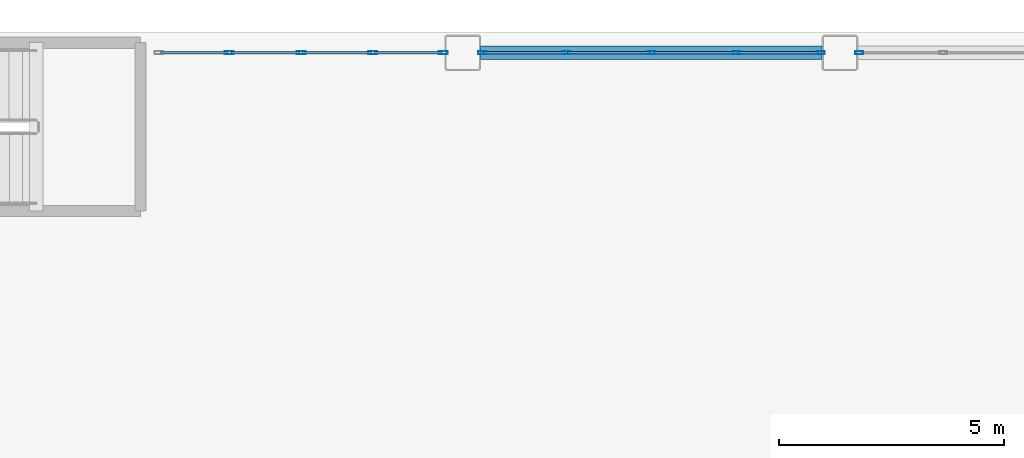
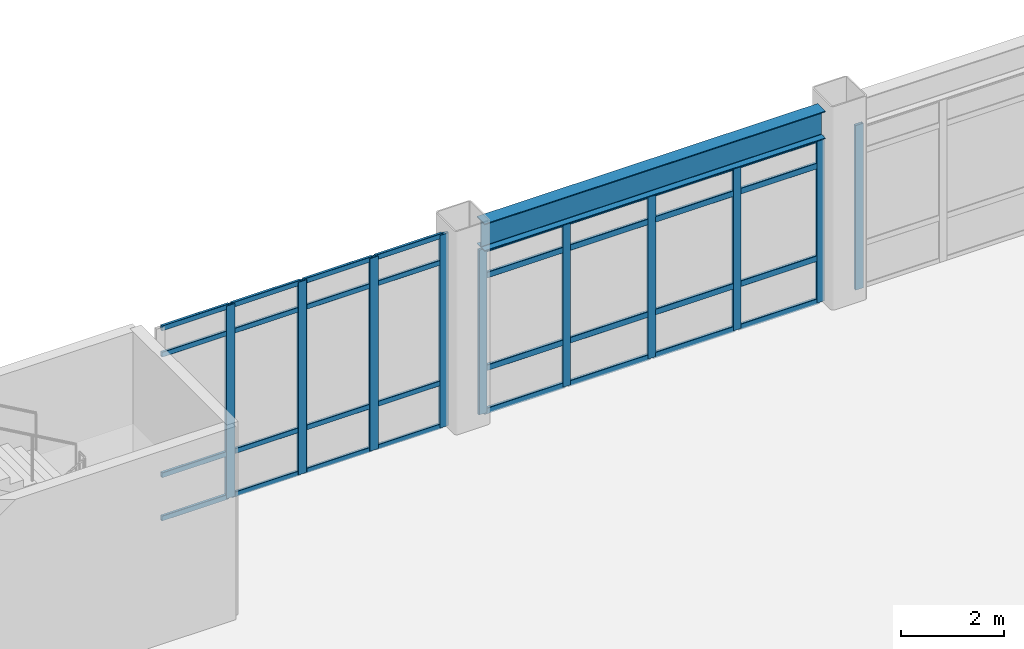
# One storey, part 68 of 154: 42 members, 1 beam, 3 elements without a shape of their own.
"""IFC4 building model written with IfcOpenShell, lengths in metres."""

import ifcopenshell
import ifcopenshell.guid

model = None  # the IFC model being written
_history = None  # IfcOwnerHistory: only IFC2X3 demands one
_inside = {}  # id of a spatial element -> (the spatial element, [elements in it])
_under = {}  # id of a project, library or spatial element -> (it, [spatial elements below it])
_declared = {}  # id of a project -> (the project, [libraries it declares])
_typed = {}  # id of a type object -> (the type object, [elements of that type])
_made_of = {}  # id of a material, layer set ... -> (it, [elements and type objects made of it])


def new_model(schema):
    """Start an empty IFC model of exactly this schema.

    Asked for "IFC4X3", IfcOpenShell would pick the latest addendum, in which some entities
    have other attributes; the version numbers below select the first issue.
    IFC2X3 requires an IfcOwnerHistory on every rooted entity: one is made here for all.
    """
    global model, _history
    if schema == "IFC4X3":
        model = ifcopenshell.file(schema_version=(4, 3, 0, 0))
    else:
        model = ifcopenshell.file(schema=schema)
    _inside.clear()
    _under.clear()
    _declared.clear()
    _typed.clear()
    _made_of.clear()
    _history = None
    if model.schema == "IFC2X3":
        org = make("IfcOrganization", Name="unknown")
        user = make(
            "IfcPersonAndOrganization",
            ThePerson=make("IfcPerson", FamilyName="unknown"),
            TheOrganization=org,
        )
        app = make(
            "IfcApplication",
            ApplicationDeveloper=org,
            Version="unknown",
            ApplicationFullName="unknown",
            ApplicationIdentifier="unknown",
        )
        _history = make(
            "IfcOwnerHistory",
            OwningUser=user,
            OwningApplication=app,
            ChangeAction="ADDED",
            CreationDate=0,
        )
    return model


def make(cls, **values):
    """One entity of the class cls with the attributes given. An attribute that is None is left unset."""
    return model.create_entity(
        cls, **{name: value for name, value in values.items() if value is not None}
    )


def rooted(cls, **values):
    """An entity with a GlobalId (a new one), such as an element, a storey or a relation."""
    return make(cls, GlobalId=ifcopenshell.guid.new(), OwnerHistory=_history, **values)


def si_unit(unit_type, name, prefix=None):
    """IfcSIUnit, for example si_unit("LENGTHUNIT", "METRE", prefix="MILLI")."""
    return make("IfcSIUnit", UnitType=unit_type, Prefix=prefix, Name=name)


def assignment(units):
    """IfcUnitAssignment: the units of a project."""
    return None if units is None else make("IfcUnitAssignment", Units=units)


def point(xyz):
    """IfcCartesianPoint."""
    return None if xyz is None else make("IfcCartesianPoint", Coordinates=xyz)


def direction(xyz):
    """IfcDirection."""
    return None if xyz is None else make("IfcDirection", DirectionRatios=xyz)


def frame(location, z_axis=None, x_axis=None):
    """IfcAxis2Placement3D, a coordinate frame: its origin and axes. An axis left out is left unset."""
    return make(
        "IfcAxis2Placement3D",
        Location=point(location),
        Axis=direction(z_axis),
        RefDirection=direction(x_axis),
    )


def frame_2d(location, x_axis=None):
    """IfcAxis2Placement2D, a coordinate frame in the plane: its origin and x axis."""
    return make(
        "IfcAxis2Placement2D", Location=point(location), RefDirection=direction(x_axis)
    )


def origin():
    """The frame at (0, 0, 0) with its axes left unset."""
    return frame((0.0, 0.0, 0.0))


def origin_2d():
    """The frame at (0, 0) in the plane with its x axis left unset."""
    return frame_2d((0.0, 0.0))


def place(relative_to, where):
    """IfcLocalPlacement: puts the frame where relative to a parent placement (None: the world)."""
    return make(
        "IfcLocalPlacement", PlacementRelTo=relative_to, RelativePlacement=where
    )


def context(
    kind, dimensions, precision=None, world=None, true_north=None, identifier=None
):
    """IfcGeometricRepresentationContext, for example the 3D "Model" context."""
    return make(
        "IfcGeometricRepresentationContext",
        ContextIdentifier=identifier,
        ContextType=kind,
        CoordinateSpaceDimension=dimensions,
        Precision=precision,
        WorldCoordinateSystem=world,
        TrueNorth=true_north,
    )


def subcontext(parent, identifier, kind, view, scale=None):
    """IfcGeometricRepresentationSubContext, for example "Body" below "Model"."""
    return make(
        "IfcGeometricRepresentationSubContext",
        ContextIdentifier=identifier,
        ContextType=kind,
        ParentContext=parent,
        TargetScale=scale,
        TargetView=view,
    )


def project(units=None, contexts=None):
    """IfcProject with its units and contexts."""
    return rooted(
        "IfcProject",
        Name="project",
        RepresentationContexts=contexts,
        UnitsInContext=assignment(units),
    )


def spatial(cls, under=None, at=None, **own):
    """A site, building, storey or space (cls), placed at a placement, below another one or the project."""
    s = rooted(cls, ObjectPlacement=at, **own)
    if under is not None:
        _under.setdefault(under.id(), (under, []))[1].append(s)
    return s


def profile(cls, at=None, kind="AREA", **sizes):
    """A parametric profile (cls). Its sizes go by their IFC names, for example OverallWidth=200.0."""
    return make(cls, ProfileType=kind, Position=at, **sizes)


def hollow_rectangle(**sizes):
    """IfcRectangleHollowProfileDef."""
    return profile("IfcRectangleHollowProfileDef", **sizes)


def i_section(**sizes):
    """IfcIShapeProfileDef."""
    return profile("IfcIShapeProfileDef", **sizes)


def extrude(swept, where, along, depth):
    """IfcExtrudedAreaSolid: the profile swept, set in the frame where, extruded along a direction by depth."""
    return make(
        "IfcExtrudedAreaSolid",
        SweptArea=swept,
        Position=where,
        ExtrudedDirection=direction(along),
        Depth=depth,
    )


def shape(context_of_items, identifier, shape_type, items):
    """IfcShapeRepresentation: the items that make up one representation, for example the "Body"."""
    return make(
        "IfcShapeRepresentation",
        ContextOfItems=context_of_items,
        RepresentationIdentifier=identifier,
        RepresentationType=shape_type,
        Items=items,
    )


def material(Name=None, Category=None):
    """IfcMaterial."""
    return make("IfcMaterial", Name=Name, Category=Category)


def layer(
    of_material, thickness, ventilated=None, Name=None, Category=None, Priority=None
):
    """IfcMaterialLayer: one layer of a wall or slab, of a material (None: an air gap)."""
    return make(
        "IfcMaterialLayer",
        Material=of_material,
        LayerThickness=thickness,
        IsVentilated=ventilated,
        Name=Name,
        Category=Category,
        Priority=Priority,
    )


def layer_set(layers, Name=None):
    """IfcMaterialLayerSet."""
    return make("IfcMaterialLayerSet", MaterialLayers=layers, LayerSetName=Name)


def material_profile(
    of_material, cross_section, Name=None, Category=None, Priority=None
):
    """IfcMaterialProfile: a cross section and its material."""
    return make(
        "IfcMaterialProfile",
        Name=Name,
        Material=of_material,
        Profile=cross_section,
        Priority=Priority,
        Category=Category,
    )


def profile_set(profiles, Name=None, composite=None):
    """IfcMaterialProfileSet."""
    return make(
        "IfcMaterialProfileSet",
        Name=Name,
        MaterialProfiles=profiles,
        CompositeProfile=composite,
    )


def made_of(thing, what):
    """Note that an element or type object is made of a material, layer set ...; save() writes the relation."""
    if what is not None:
        _made_of.setdefault(what.id(), (what, []))[1].append(thing)
    return thing


def type_object(cls, material=None, **own):
    """A type object (cls), such as IfcWallType, which elements share."""
    return made_of(rooted(cls, **own), material)


def element(
    cls,
    number,
    at=None,
    inside=None,
    cuts=None,
    type_object=None,
    material=None,
    context=None,
    identifier="Body",
    shape_type=None,
    held_by="IfcProductDefinitionShape",
    body=None,
    shapes=None,
    **own,
):
    """One element of the class cls, such as IfcWall. Its Tag is "e" and its number.

    at: its placement. inside: the storey or other place that contains it. cuts: it is an
    opening in that element (IfcRelVoidsElement). A single representation is given by context,
    identifier, shape_type and body (its items); several are given by shapes. held_by: the class
    of the entity that holds the representations. save() writes the other relations.
    """
    e = rooted(cls, Tag="e%d" % number, ObjectPlacement=at, **own)
    if body is not None:
        shapes = [shape(context, identifier, shape_type, body)]
    if shapes is not None:
        e.Representation = make(held_by, Representations=shapes)
    if inside is not None:
        _inside.setdefault(inside.id(), (inside, []))[1].append(e)
    if cuts is not None:
        rooted(
            "IfcRelVoidsElement", RelatingBuildingElement=cuts, RelatedOpeningElement=e
        )
    if type_object is not None:
        _typed.setdefault(type_object.id(), (type_object, []))[1].append(e)
    return made_of(e, material)


def aggregate(whole, parts):
    """IfcRelAggregates: a whole, such as a stair, and the parts it consists of."""
    return rooted("IfcRelAggregates", RelatingObject=whole, RelatedObjects=parts)


def save(model, path):
    """Write the relations noted so far, then the file.

    IfcRelAggregates (storeys below a building ...), IfcRelContainedInSpatialStructure (elements
    in a storey), IfcRelDefinesByType, IfcRelAssociatesMaterial and IfcRelDeclares: one each for
    every whole, place, type object, material and project.
    """
    for whole, parts in _under.values():
        aggregate(whole, parts)
    for where, things in _inside.values():
        rooted(
            "IfcRelContainedInSpatialStructure",
            RelatedElements=things,
            RelatingStructure=where,
        )
    for kind, things in _typed.values():
        rooted("IfcRelDefinesByType", RelatedObjects=things, RelatingType=kind)
    for what, things in _made_of.values():
        rooted("IfcRelAssociatesMaterial", RelatedObjects=things, RelatingMaterial=what)
    for by, libraries in _declared.values():
        rooted("IfcRelDeclares", RelatingContext=by, RelatedDefinitions=libraries)
    model.write(path)


model = new_model("IFC4")

# Units and contexts
model_context = context("Model", 3, precision=1e-05, world=origin(), true_north=direction((0.0, 1.0)))
body_context = subcontext(model_context, "Body", "Model", "MODEL_VIEW")
ifc_project = project(units=[si_unit("LENGTHUNIT", "METRE"), si_unit("AREAUNIT", "SQUARE_METRE"), si_unit("VOLUMEUNIT", "CUBIC_METRE"), si_unit("PLANEANGLEUNIT", "RADIAN"), si_unit("MASSUNIT", "GRAM", prefix="KILO")], contexts=[model_context])

# Site, building, storey
site_placement = place(None, origin())
site = spatial("IfcSite", under=ifc_project, at=site_placement, CompositionType="ELEMENT")
building_placement = place(site_placement, origin())
building = spatial("IfcBuilding", under=site, at=building_placement, Name="Kazehara Bluff Congress Hotel", CompositionType="ELEMENT")
storey_placement = place(building_placement, frame((0.0, 0.0, 10.199951171875)))
storey = spatial("IfcBuildingStorey", under=building, at=storey_placement, Name="L02", CompositionType="ELEMENT", Elevation=10.199951171875)

# Curtain wall, members
ifc_material_1 = material(Name="Anodised aluminium", Category="aluminium")
ifc_layer_1 = layer(ifc_material_1, 0.159912109375)
ifc_layer_set_1 = layer_set([ifc_layer_1], Name="Anodised aluminium")
curtain_wall_type_1 = type_object("IfcCurtainWallType", Name="TP-CW-10", PredefinedType="NOTDEFINED", material=ifc_layer_set_1)
curtain_wall_1_placement = place(storey_placement, origin())
curtain_wall_1 = element("IfcCurtainWall", 1, at=curtain_wall_1_placement, inside=storey, type_object=curtain_wall_type_1, Name="L02 curtain wall CW-10 CW-V1-L02-Y11355-2560", PredefinedType="NOTDEFINED")
ifc_material_2 = material(Name="Anodised aluminium", Category="aluminium")
ifc_material_profile_1 = material_profile(ifc_material_2, hollow_rectangle(XDim=0.06494140625, YDim=0.179931640625, WallThickness=0.00390625, InnerFilletRadius=0.00390625, OuterFilletRadius=0.008056640625, at=origin_2d()))
ifc_profile_set_1 = profile_set([ifc_material_profile_1], Name="Anodised aluminium")
member_type_1 = type_object("IfcMemberType", Name="TP-CWM-02", PredefinedType="MULLION", material=ifc_profile_set_1)
member_1_placement = place(storey_placement, frame((25.632568359375, 113.550048828125, 0.0), z_axis=(0.0, 0.0, 1.0), x_axis=(0.0, 1.0, 0.0)))
member_1 = element("IfcMember", 2, at=member_1_placement, type_object=member_type_1, Name="CW-10 mullion 1", PredefinedType="MULLION", context=body_context, shape_type="SweptSolid", body=[
    extrude(hollow_rectangle(XDim=0.06494140625, YDim=0.179931640625, WallThickness=0.00390625, InnerFilletRadius=0.00390625, OuterFilletRadius=0.008056640625, at=origin_2d()), origin(), (0.0, 0.0, 1.0), 3.885009765625),
])
member_2_placement = place(storey_placement, frame((27.5, 113.550048828125, 0.0), z_axis=(0.0, 0.0, 1.0), x_axis=(0.0, 1.0, 0.0)))
member_2 = element("IfcMember", 3, at=member_2_placement, type_object=member_type_1, Name="CW-10 mullion 2", PredefinedType="MULLION", context=body_context, shape_type="SweptSolid", body=[
    extrude(hollow_rectangle(XDim=0.06494140625, YDim=0.179931640625, WallThickness=0.00390625, InnerFilletRadius=0.00390625, OuterFilletRadius=0.008056640625, at=origin_2d()), origin(), (0.0, 0.0, 1.0), 3.885009765625),
])
member_3_placement = place(storey_placement, frame((29.39990234375, 113.550048828125, 0.0), z_axis=(0.0, 0.0, 1.0), x_axis=(0.0, 1.0, 0.0)))
member_3 = element("IfcMember", 4, at=member_3_placement, type_object=member_type_1, Name="CW-10 mullion 3", PredefinedType="MULLION", context=body_context, shape_type="SweptSolid", body=[
    extrude(hollow_rectangle(XDim=0.06494140625, YDim=0.179931640625, WallThickness=0.00390625, InnerFilletRadius=0.00390625, OuterFilletRadius=0.008056640625, at=origin_2d()), origin(), (0.0, 0.0, 1.0), 3.885009765625),
])
member_4_placement = place(storey_placement, frame((31.300048828125, 113.550048828125, 0.0), z_axis=(0.0, 0.0, 1.0), x_axis=(0.0, 1.0, 0.0)))
member_4 = element("IfcMember", 5, at=member_4_placement, type_object=member_type_1, Name="CW-10 mullion 4", PredefinedType="MULLION", context=body_context, shape_type="SweptSolid", body=[
    extrude(hollow_rectangle(XDim=0.06494140625, YDim=0.179931640625, WallThickness=0.00390625, InnerFilletRadius=0.00390625, OuterFilletRadius=0.008056640625, at=origin_2d()), origin(), (0.0, 0.0, 1.0), 3.885009765625),
])
member_5_placement = place(storey_placement, frame((33.16748046875, 113.550048828125, 0.0), z_axis=(0.0, 0.0, 1.0), x_axis=(0.0, 1.0, 0.0)))
member_5 = element("IfcMember", 6, at=member_5_placement, type_object=member_type_1, Name="CW-10 mullion 5", PredefinedType="MULLION", context=body_context, shape_type="SweptSolid", body=[
    extrude(hollow_rectangle(XDim=0.06494140625, YDim=0.179931640625, WallThickness=0.00390625, InnerFilletRadius=0.00390625, OuterFilletRadius=0.008056640625, at=origin_2d()), origin(), (0.0, 0.0, 1.0), 3.885009765625),
])

# Curtain wall, member
curtain_wall_2_placement = place(storey_placement, origin())
curtain_wall_2 = element("IfcCurtainWall", 7, at=curtain_wall_2_placement, inside=storey, type_object=curtain_wall_type_1, Name="L02 curtain wall CW-10 CW-V1-L02-Y11355-3400", PredefinedType="NOTDEFINED")
member_6_placement = place(storey_placement, frame((34.032470703125, 113.550048828125, 0.0), z_axis=(0.0, 0.0, 1.0), x_axis=(0.0, 1.0, 0.0)))
member_6 = element("IfcMember", 8, at=member_6_placement, type_object=member_type_1, Name="CW-10 mullion 1", PredefinedType="MULLION", context=body_context, shape_type="SweptSolid", body=[
    extrude(hollow_rectangle(XDim=0.06494140625, YDim=0.179931640625, WallThickness=0.00390625, InnerFilletRadius=0.00390625, OuterFilletRadius=0.008056640625, at=origin_2d()), origin(), (0.0, 0.0, 1.0), 3.885009765625),
])
aggregate(curtain_wall_2, [member_6])

# Curtain wall, members
ifc_material_3 = material(Name="Anodised aluminium", Category="aluminium")
ifc_layer_2 = layer(ifc_material_3, 0.159912109375)
ifc_layer_set_2 = layer_set([ifc_layer_2], Name="Anodised aluminium")
curtain_wall_type_2 = type_object("IfcCurtainWallType", Name="TP-CW-09", PredefinedType="NOTDEFINED", material=ifc_layer_set_2)
curtain_wall_3_placement = place(storey_placement, origin())
curtain_wall_3 = element("IfcCurtainWall", 9, at=curtain_wall_3_placement, inside=storey, type_object=curtain_wall_type_2, Name="L02 curtain wall CW-09 CW-V1-L02-Y11355-1840", PredefinedType="NOTDEFINED")
ifc_material_4 = material(Name="Anodised aluminium", Category="aluminium")
ifc_material_profile_2 = material_profile(ifc_material_4, hollow_rectangle(XDim=0.070068359375, YDim=0.199951171875, WallThickness=0.0048828125, InnerFilletRadius=0.0048828125, OuterFilletRadius=0.010009765625, at=origin_2d()))
ifc_profile_set_2 = profile_set([ifc_material_profile_2], Name="Anodised aluminium")
member_type_2 = type_object("IfcMemberType", Name="TP-CWM-03", PredefinedType="MULLION", material=ifc_profile_set_2)
member_7_placement = place(storey_placement, frame((20.0, 113.550048828125, 0.0), z_axis=(0.0, 0.0, 1.0), x_axis=(0.0, 1.0, 0.0)))
member_7 = element("IfcMember", 10, at=member_7_placement, type_object=member_type_2, Name="CW-09 mullion 2", PredefinedType="MULLION", context=body_context, shape_type="SweptSolid", body=[
    extrude(hollow_rectangle(XDim=0.070068359375, YDim=0.199951171875, WallThickness=0.0048828125, InnerFilletRadius=0.0048828125, OuterFilletRadius=0.010009765625, at=origin_2d()), origin(), (0.0, 0.0, 1.0), 4.545166015625),
])
member_8_placement = place(storey_placement, frame((21.60009765625, 113.550048828125, 0.0), z_axis=(0.0, 0.0, 1.0), x_axis=(0.0, 1.0, 0.0)))
member_8 = element("IfcMember", 11, at=member_8_placement, type_object=member_type_2, Name="CW-09 mullion 3", PredefinedType="MULLION", context=body_context, shape_type="SweptSolid", body=[
    extrude(hollow_rectangle(XDim=0.070068359375, YDim=0.199951171875, WallThickness=0.0048828125, InnerFilletRadius=0.0048828125, OuterFilletRadius=0.010009765625, at=origin_2d()), origin(), (0.0, 0.0, 1.0), 4.545166015625),
])
member_9_placement = place(storey_placement, frame((23.199951171875, 113.550048828125, 0.0), z_axis=(0.0, 0.0, 1.0), x_axis=(0.0, 1.0, 0.0)))
member_9 = element("IfcMember", 12, at=member_9_placement, type_object=member_type_2, Name="CW-09 mullion 4", PredefinedType="MULLION", context=body_context, shape_type="SweptSolid", body=[
    extrude(hollow_rectangle(XDim=0.070068359375, YDim=0.199951171875, WallThickness=0.0048828125, InnerFilletRadius=0.0048828125, OuterFilletRadius=0.010009765625, at=origin_2d()), origin(), (0.0, 0.0, 1.0), 4.545166015625),
])
member_10_placement = place(storey_placement, frame((24.764892578125, 113.550048828125, 0.0), z_axis=(0.0, 0.0, 1.0), x_axis=(0.0, 1.0, 0.0)))
member_10 = element("IfcMember", 13, at=member_10_placement, type_object=member_type_2, Name="CW-09 mullion 5", PredefinedType="MULLION", context=body_context, shape_type="SweptSolid", body=[
    extrude(hollow_rectangle(XDim=0.070068359375, YDim=0.199951171875, WallThickness=0.0048828125, InnerFilletRadius=0.0048828125, OuterFilletRadius=0.010009765625, at=origin_2d()), origin(), (0.0, 0.0, 1.0), 4.545166015625),
])
ifc_material_5 = material(Name="Anodised aluminium", Category="aluminium")
ifc_material_profile_3 = material_profile(ifc_material_5, hollow_rectangle(XDim=0.06005859375, YDim=0.1201171875, WallThickness=0.00390625, InnerFilletRadius=0.00390625, OuterFilletRadius=0.008056640625, at=origin_2d()))
ifc_profile_set_3 = profile_set([ifc_material_profile_3], Name="Anodised aluminium")
member_type_3 = type_object("IfcMemberType", Name="TP-CWT-01", PredefinedType="USERDEFINED", material=ifc_profile_set_3)
member_11_placement = place(storey_placement, frame((18.469970703125, 113.550048828125, 0.030029296875), z_axis=(1.0, 0.0, 0.0), x_axis=(0.0, 1.0, 0.0)))
member_11 = element("IfcMember", 14, at=member_11_placement, type_object=member_type_3, Name="CW-09 transom 1.1", ObjectType="TRANSOM", PredefinedType="USERDEFINED", context=body_context, shape_type="SweptSolid", body=[
    extrude(hollow_rectangle(XDim=0.06005859375, YDim=0.1201171875, WallThickness=0.00390625, InnerFilletRadius=0.00390625, OuterFilletRadius=0.008056640625, at=origin_2d()), origin(), (0.0, 0.0, 1.0), 1.4951171875),
])
member_12_placement = place(storey_placement, frame((18.469970703125, 113.550048828125, 1.050048828125), z_axis=(1.0, 0.0, 0.0), x_axis=(0.0, 1.0, 0.0)))
member_12 = element("IfcMember", 15, at=member_12_placement, type_object=member_type_3, Name="CW-09 transom 1.2", ObjectType="TRANSOM", PredefinedType="USERDEFINED", context=body_context, shape_type="SweptSolid", body=[
    extrude(hollow_rectangle(XDim=0.06005859375, YDim=0.1201171875, WallThickness=0.00390625, InnerFilletRadius=0.00390625, OuterFilletRadius=0.008056640625, at=origin_2d()), origin(), (0.0, 0.0, 1.0), 1.4951171875),
])
member_13_placement = place(storey_placement, frame((18.469970703125, 113.550048828125, 3.89501953125), z_axis=(1.0, 0.0, 0.0), x_axis=(0.0, 1.0, 0.0)))
member_13 = element("IfcMember", 16, at=member_13_placement, type_object=member_type_3, Name="CW-09 transom 1.3", ObjectType="TRANSOM", PredefinedType="USERDEFINED", context=body_context, shape_type="SweptSolid", body=[
    extrude(hollow_rectangle(XDim=0.06005859375, YDim=0.1201171875, WallThickness=0.00390625, InnerFilletRadius=0.00390625, OuterFilletRadius=0.008056640625, at=origin_2d()), origin(), (0.0, 0.0, 1.0), 1.4951171875),
])
member_14_placement = place(storey_placement, frame((18.469970703125, 113.550048828125, 4.51513671875), z_axis=(1.0, 0.0, 0.0), x_axis=(0.0, 1.0, 0.0)))
member_14 = element("IfcMember", 17, at=member_14_placement, type_object=member_type_3, Name="CW-09 transom 1.4", ObjectType="TRANSOM", PredefinedType="USERDEFINED", context=body_context, shape_type="SweptSolid", body=[
    extrude(hollow_rectangle(XDim=0.06005859375, YDim=0.1201171875, WallThickness=0.00390625, InnerFilletRadius=0.00390625, OuterFilletRadius=0.008056640625, at=origin_2d()), origin(), (0.0, 0.0, 1.0), 1.4951171875),
])
member_15_placement = place(storey_placement, frame((20.034912109375, 113.550048828125, 0.030029296875), z_axis=(1.0, 0.0, 0.0), x_axis=(0.0, 1.0, 0.0)))
member_15 = element("IfcMember", 18, at=member_15_placement, type_object=member_type_3, Name="CW-09 transom 2.1", ObjectType="TRANSOM", PredefinedType="USERDEFINED", context=body_context, shape_type="SweptSolid", body=[
    extrude(hollow_rectangle(XDim=0.06005859375, YDim=0.1201171875, WallThickness=0.00390625, InnerFilletRadius=0.00390625, OuterFilletRadius=0.008056640625, at=origin_2d()), origin(), (0.0, 0.0, 1.0), 1.530029296875),
])
member_16_placement = place(storey_placement, frame((20.034912109375, 113.550048828125, 1.050048828125), z_axis=(1.0, 0.0, 0.0), x_axis=(0.0, 1.0, 0.0)))
member_16 = element("IfcMember", 19, at=member_16_placement, type_object=member_type_3, Name="CW-09 transom 2.2", ObjectType="TRANSOM", PredefinedType="USERDEFINED", context=body_context, shape_type="SweptSolid", body=[
    extrude(hollow_rectangle(XDim=0.06005859375, YDim=0.1201171875, WallThickness=0.00390625, InnerFilletRadius=0.00390625, OuterFilletRadius=0.008056640625, at=origin_2d()), origin(), (0.0, 0.0, 1.0), 1.530029296875),
])
member_17_placement = place(storey_placement, frame((20.034912109375, 113.550048828125, 3.89501953125), z_axis=(1.0, 0.0, 0.0), x_axis=(0.0, 1.0, 0.0)))
member_17 = element("IfcMember", 20, at=member_17_placement, type_object=member_type_3, Name="CW-09 transom 2.3", ObjectType="TRANSOM", PredefinedType="USERDEFINED", context=body_context, shape_type="SweptSolid", body=[
    extrude(hollow_rectangle(XDim=0.06005859375, YDim=0.1201171875, WallThickness=0.00390625, InnerFilletRadius=0.00390625, OuterFilletRadius=0.008056640625, at=origin_2d()), origin(), (0.0, 0.0, 1.0), 1.530029296875),
])
member_18_placement = place(storey_placement, frame((20.034912109375, 113.550048828125, 4.51513671875), z_axis=(1.0, 0.0, 0.0), x_axis=(0.0, 1.0, 0.0)))
member_18 = element("IfcMember", 21, at=member_18_placement, type_object=member_type_3, Name="CW-09 transom 2.4", ObjectType="TRANSOM", PredefinedType="USERDEFINED", context=body_context, shape_type="SweptSolid", body=[
    extrude(hollow_rectangle(XDim=0.06005859375, YDim=0.1201171875, WallThickness=0.00390625, InnerFilletRadius=0.00390625, OuterFilletRadius=0.008056640625, at=origin_2d()), origin(), (0.0, 0.0, 1.0), 1.530029296875),
])
member_19_placement = place(storey_placement, frame((21.635009765625, 113.550048828125, 0.030029296875), z_axis=(1.0, 0.0, 0.0), x_axis=(0.0, 1.0, 0.0)))
member_19 = element("IfcMember", 22, at=member_19_placement, type_object=member_type_3, Name="CW-09 transom 3.1", ObjectType="TRANSOM", PredefinedType="USERDEFINED", context=body_context, shape_type="SweptSolid", body=[
    extrude(hollow_rectangle(XDim=0.06005859375, YDim=0.1201171875, WallThickness=0.00390625, InnerFilletRadius=0.00390625, OuterFilletRadius=0.008056640625, at=origin_2d()), origin(), (0.0, 0.0, 1.0), 1.530029296875),
])
member_20_placement = place(storey_placement, frame((21.635009765625, 113.550048828125, 1.050048828125), z_axis=(1.0, 0.0, 0.0), x_axis=(0.0, 1.0, 0.0)))
member_20 = element("IfcMember", 23, at=member_20_placement, type_object=member_type_3, Name="CW-09 transom 3.2", ObjectType="TRANSOM", PredefinedType="USERDEFINED", context=body_context, shape_type="SweptSolid", body=[
    extrude(hollow_rectangle(XDim=0.06005859375, YDim=0.1201171875, WallThickness=0.00390625, InnerFilletRadius=0.00390625, OuterFilletRadius=0.008056640625, at=origin_2d()), origin(), (0.0, 0.0, 1.0), 1.530029296875),
])
member_21_placement = place(storey_placement, frame((21.635009765625, 113.550048828125, 3.89501953125), z_axis=(1.0, 0.0, 0.0), x_axis=(0.0, 1.0, 0.0)))
member_21 = element("IfcMember", 24, at=member_21_placement, type_object=member_type_3, Name="CW-09 transom 3.3", ObjectType="TRANSOM", PredefinedType="USERDEFINED", context=body_context, shape_type="SweptSolid", body=[
    extrude(hollow_rectangle(XDim=0.06005859375, YDim=0.1201171875, WallThickness=0.00390625, InnerFilletRadius=0.00390625, OuterFilletRadius=0.008056640625, at=origin_2d()), origin(), (0.0, 0.0, 1.0), 1.530029296875),
])
member_22_placement = place(storey_placement, frame((21.635009765625, 113.550048828125, 4.51513671875), z_axis=(1.0, 0.0, 0.0), x_axis=(0.0, 1.0, 0.0)))
member_22 = element("IfcMember", 25, at=member_22_placement, type_object=member_type_3, Name="CW-09 transom 3.4", ObjectType="TRANSOM", PredefinedType="USERDEFINED", context=body_context, shape_type="SweptSolid", body=[
    extrude(hollow_rectangle(XDim=0.06005859375, YDim=0.1201171875, WallThickness=0.00390625, InnerFilletRadius=0.00390625, OuterFilletRadius=0.008056640625, at=origin_2d()), origin(), (0.0, 0.0, 1.0), 1.530029296875),
])
member_23_placement = place(storey_placement, frame((23.235107421875, 113.550048828125, 0.030029296875), z_axis=(1.0, 0.0, 0.0), x_axis=(0.0, 1.0, 0.0)))
member_23 = element("IfcMember", 26, at=member_23_placement, type_object=member_type_3, Name="CW-09 transom 4.1", ObjectType="TRANSOM", PredefinedType="USERDEFINED", context=body_context, shape_type="SweptSolid", body=[
    extrude(hollow_rectangle(XDim=0.06005859375, YDim=0.1201171875, WallThickness=0.00390625, InnerFilletRadius=0.00390625, OuterFilletRadius=0.008056640625, at=origin_2d()), origin(), (0.0, 0.0, 1.0), 1.494873046875),
])
member_24_placement = place(storey_placement, frame((23.235107421875, 113.550048828125, 1.050048828125), z_axis=(1.0, 0.0, 0.0), x_axis=(0.0, 1.0, 0.0)))
member_24 = element("IfcMember", 27, at=member_24_placement, type_object=member_type_3, Name="CW-09 transom 4.2", ObjectType="TRANSOM", PredefinedType="USERDEFINED", context=body_context, shape_type="SweptSolid", body=[
    extrude(hollow_rectangle(XDim=0.06005859375, YDim=0.1201171875, WallThickness=0.00390625, InnerFilletRadius=0.00390625, OuterFilletRadius=0.008056640625, at=origin_2d()), origin(), (0.0, 0.0, 1.0), 1.494873046875),
])
member_25_placement = place(storey_placement, frame((23.235107421875, 113.550048828125, 3.89501953125), z_axis=(1.0, 0.0, 0.0), x_axis=(0.0, 1.0, 0.0)))
member_25 = element("IfcMember", 28, at=member_25_placement, type_object=member_type_3, Name="CW-09 transom 4.3", ObjectType="TRANSOM", PredefinedType="USERDEFINED", context=body_context, shape_type="SweptSolid", body=[
    extrude(hollow_rectangle(XDim=0.06005859375, YDim=0.1201171875, WallThickness=0.00390625, InnerFilletRadius=0.00390625, OuterFilletRadius=0.008056640625, at=origin_2d()), origin(), (0.0, 0.0, 1.0), 1.494873046875),
])
member_26_placement = place(storey_placement, frame((23.235107421875, 113.550048828125, 4.51513671875), z_axis=(1.0, 0.0, 0.0), x_axis=(0.0, 1.0, 0.0)))
member_26 = element("IfcMember", 29, at=member_26_placement, type_object=member_type_3, Name="CW-09 transom 4.4", ObjectType="TRANSOM", PredefinedType="USERDEFINED", context=body_context, shape_type="SweptSolid", body=[
    extrude(hollow_rectangle(XDim=0.06005859375, YDim=0.1201171875, WallThickness=0.00390625, InnerFilletRadius=0.00390625, OuterFilletRadius=0.008056640625, at=origin_2d()), origin(), (0.0, 0.0, 1.0), 1.494873046875),
])
aggregate(curtain_wall_3, [member_7, member_8, member_9, member_10, member_11, member_12, member_13, member_14, member_15, member_16, member_17, member_18, member_19, member_20, member_21, member_22, member_23, member_24, member_25, member_26])

# Member
ifc_material_6 = material(Name="Anodised aluminium", Category="aluminium")
ifc_material_profile_4 = material_profile(ifc_material_6, hollow_rectangle(XDim=0.06494140625, YDim=0.139892578125, WallThickness=0.00390625, InnerFilletRadius=0.00390625, OuterFilletRadius=0.008056640625, at=origin_2d()))
ifc_profile_set_4 = profile_set([ifc_material_profile_4], Name="Anodised aluminium")
member_type_4 = type_object("IfcMemberType", Name="TP-CWT-02", PredefinedType="USERDEFINED", material=ifc_profile_set_4)
member_27_placement = place(storey_placement, frame((25.6650390625, 113.550048828125, 0.032470703125), z_axis=(1.0, 0.0, 0.0), x_axis=(0.0, 1.0, 0.0)))
member_27 = element("IfcMember", 30, at=member_27_placement, type_object=member_type_4, Name="CW-10 transom 1.1", ObjectType="TRANSOM", PredefinedType="USERDEFINED", context=body_context, shape_type="SweptSolid", body=[
    extrude(hollow_rectangle(XDim=0.06494140625, YDim=0.139892578125, WallThickness=0.00390625, InnerFilletRadius=0.00390625, OuterFilletRadius=0.008056640625, at=origin_2d()), origin(), (0.0, 0.0, 1.0), 1.802490234375),
])

member_28_placement = place(storey_placement, frame((25.6650390625, 113.550048828125, 1.050048828125), z_axis=(1.0, 0.0, 0.0), x_axis=(0.0, 1.0, 0.0)))
member_28 = element("IfcMember", 31, at=member_28_placement, type_object=member_type_4, Name="CW-10 transom 1.2", ObjectType="TRANSOM", PredefinedType="USERDEFINED", context=body_context, shape_type="SweptSolid", body=[
    extrude(hollow_rectangle(XDim=0.06494140625, YDim=0.139892578125, WallThickness=0.00390625, InnerFilletRadius=0.00390625, OuterFilletRadius=0.008056640625, at=origin_2d()), origin(), (0.0, 0.0, 1.0), 1.802490234375),
])

member_29_placement = place(storey_placement, frame((25.6650390625, 113.550048828125, 3.235107421875), z_axis=(1.0, 0.0, 0.0), x_axis=(0.0, 1.0, 0.0)))
member_29 = element("IfcMember", 32, at=member_29_placement, type_object=member_type_4, Name="CW-10 transom 1.3", ObjectType="TRANSOM", PredefinedType="USERDEFINED", context=body_context, shape_type="SweptSolid", body=[
    extrude(hollow_rectangle(XDim=0.06494140625, YDim=0.139892578125, WallThickness=0.00390625, InnerFilletRadius=0.00390625, OuterFilletRadius=0.008056640625, at=origin_2d()), origin(), (0.0, 0.0, 1.0), 1.802490234375),
])

member_30_placement = place(storey_placement, frame((25.6650390625, 113.550048828125, 3.8525390625), z_axis=(1.0, 0.0, 0.0), x_axis=(0.0, 1.0, 0.0)))
member_30 = element("IfcMember", 33, at=member_30_placement, type_object=member_type_4, Name="CW-10 transom 1.4", ObjectType="TRANSOM", PredefinedType="USERDEFINED", context=body_context, shape_type="SweptSolid", body=[
    extrude(hollow_rectangle(XDim=0.06494140625, YDim=0.139892578125, WallThickness=0.00390625, InnerFilletRadius=0.00390625, OuterFilletRadius=0.008056640625, at=origin_2d()), origin(), (0.0, 0.0, 1.0), 1.802490234375),
])

member_31_placement = place(storey_placement, frame((27.532470703125, 113.550048828125, 0.032470703125), z_axis=(1.0, 0.0, 0.0), x_axis=(0.0, 1.0, 0.0)))
member_31 = element("IfcMember", 34, at=member_31_placement, type_object=member_type_4, Name="CW-10 transom 2.1", ObjectType="TRANSOM", PredefinedType="USERDEFINED", context=body_context, shape_type="SweptSolid", body=[
    extrude(hollow_rectangle(XDim=0.06494140625, YDim=0.139892578125, WallThickness=0.00390625, InnerFilletRadius=0.00390625, OuterFilletRadius=0.008056640625, at=origin_2d()), origin(), (0.0, 0.0, 1.0), 1.8349609375),
])

member_32_placement = place(storey_placement, frame((27.532470703125, 113.550048828125, 1.050048828125), z_axis=(1.0, 0.0, 0.0), x_axis=(0.0, 1.0, 0.0)))
member_32 = element("IfcMember", 35, at=member_32_placement, type_object=member_type_4, Name="CW-10 transom 2.2", ObjectType="TRANSOM", PredefinedType="USERDEFINED", context=body_context, shape_type="SweptSolid", body=[
    extrude(hollow_rectangle(XDim=0.06494140625, YDim=0.139892578125, WallThickness=0.00390625, InnerFilletRadius=0.00390625, OuterFilletRadius=0.008056640625, at=origin_2d()), origin(), (0.0, 0.0, 1.0), 1.8349609375),
])

member_33_placement = place(storey_placement, frame((27.532470703125, 113.550048828125, 3.235107421875), z_axis=(1.0, 0.0, 0.0), x_axis=(0.0, 1.0, 0.0)))
member_33 = element("IfcMember", 36, at=member_33_placement, type_object=member_type_4, Name="CW-10 transom 2.3", ObjectType="TRANSOM", PredefinedType="USERDEFINED", context=body_context, shape_type="SweptSolid", body=[
    extrude(hollow_rectangle(XDim=0.06494140625, YDim=0.139892578125, WallThickness=0.00390625, InnerFilletRadius=0.00390625, OuterFilletRadius=0.008056640625, at=origin_2d()), origin(), (0.0, 0.0, 1.0), 1.8349609375),
])

member_34_placement = place(storey_placement, frame((27.532470703125, 113.550048828125, 3.8525390625), z_axis=(1.0, 0.0, 0.0), x_axis=(0.0, 1.0, 0.0)))
member_34 = element("IfcMember", 37, at=member_34_placement, type_object=member_type_4, Name="CW-10 transom 2.4", ObjectType="TRANSOM", PredefinedType="USERDEFINED", context=body_context, shape_type="SweptSolid", body=[
    extrude(hollow_rectangle(XDim=0.06494140625, YDim=0.139892578125, WallThickness=0.00390625, InnerFilletRadius=0.00390625, OuterFilletRadius=0.008056640625, at=origin_2d()), origin(), (0.0, 0.0, 1.0), 1.8349609375),
])

member_35_placement = place(storey_placement, frame((29.4326171875, 113.550048828125, 0.032470703125), z_axis=(1.0, 0.0, 0.0), x_axis=(0.0, 1.0, 0.0)))
member_35 = element("IfcMember", 38, at=member_35_placement, type_object=member_type_4, Name="CW-10 transom 3.1", ObjectType="TRANSOM", PredefinedType="USERDEFINED", context=body_context, shape_type="SweptSolid", body=[
    extrude(hollow_rectangle(XDim=0.06494140625, YDim=0.139892578125, WallThickness=0.00390625, InnerFilletRadius=0.00390625, OuterFilletRadius=0.008056640625, at=origin_2d()), origin(), (0.0, 0.0, 1.0), 1.8349609375),
])

member_36_placement = place(storey_placement, frame((29.4326171875, 113.550048828125, 1.050048828125), z_axis=(1.0, 0.0, 0.0), x_axis=(0.0, 1.0, 0.0)))
member_36 = element("IfcMember", 39, at=member_36_placement, type_object=member_type_4, Name="CW-10 transom 3.2", ObjectType="TRANSOM", PredefinedType="USERDEFINED", context=body_context, shape_type="SweptSolid", body=[
    extrude(hollow_rectangle(XDim=0.06494140625, YDim=0.139892578125, WallThickness=0.00390625, InnerFilletRadius=0.00390625, OuterFilletRadius=0.008056640625, at=origin_2d()), origin(), (0.0, 0.0, 1.0), 1.8349609375),
])

member_37_placement = place(storey_placement, frame((29.4326171875, 113.550048828125, 3.235107421875), z_axis=(1.0, 0.0, 0.0), x_axis=(0.0, 1.0, 0.0)))
member_37 = element("IfcMember", 40, at=member_37_placement, type_object=member_type_4, Name="CW-10 transom 3.3", ObjectType="TRANSOM", PredefinedType="USERDEFINED", context=body_context, shape_type="SweptSolid", body=[
    extrude(hollow_rectangle(XDim=0.06494140625, YDim=0.139892578125, WallThickness=0.00390625, InnerFilletRadius=0.00390625, OuterFilletRadius=0.008056640625, at=origin_2d()), origin(), (0.0, 0.0, 1.0), 1.8349609375),
])

member_38_placement = place(storey_placement, frame((29.4326171875, 113.550048828125, 3.8525390625), z_axis=(1.0, 0.0, 0.0), x_axis=(0.0, 1.0, 0.0)))
member_38 = element("IfcMember", 41, at=member_38_placement, type_object=member_type_4, Name="CW-10 transom 3.4", ObjectType="TRANSOM", PredefinedType="USERDEFINED", context=body_context, shape_type="SweptSolid", body=[
    extrude(hollow_rectangle(XDim=0.06494140625, YDim=0.139892578125, WallThickness=0.00390625, InnerFilletRadius=0.00390625, OuterFilletRadius=0.008056640625, at=origin_2d()), origin(), (0.0, 0.0, 1.0), 1.8349609375),
])

member_39_placement = place(storey_placement, frame((31.33251953125, 113.550048828125, 0.032470703125), z_axis=(1.0, 0.0, 0.0), x_axis=(0.0, 1.0, 0.0)))
member_39 = element("IfcMember", 42, at=member_39_placement, type_object=member_type_4, Name="CW-10 transom 4.1", ObjectType="TRANSOM", PredefinedType="USERDEFINED", context=body_context, shape_type="SweptSolid", body=[
    extrude(hollow_rectangle(XDim=0.06494140625, YDim=0.139892578125, WallThickness=0.00390625, InnerFilletRadius=0.00390625, OuterFilletRadius=0.008056640625, at=origin_2d()), origin(), (0.0, 0.0, 1.0), 1.802490234375),
])

member_40_placement = place(storey_placement, frame((31.33251953125, 113.550048828125, 1.050048828125), z_axis=(1.0, 0.0, 0.0), x_axis=(0.0, 1.0, 0.0)))
member_40 = element("IfcMember", 43, at=member_40_placement, type_object=member_type_4, Name="CW-10 transom 4.2", ObjectType="TRANSOM", PredefinedType="USERDEFINED", context=body_context, shape_type="SweptSolid", body=[
    extrude(hollow_rectangle(XDim=0.06494140625, YDim=0.139892578125, WallThickness=0.00390625, InnerFilletRadius=0.00390625, OuterFilletRadius=0.008056640625, at=origin_2d()), origin(), (0.0, 0.0, 1.0), 1.802490234375),
])

member_41_placement = place(storey_placement, frame((31.33251953125, 113.550048828125, 3.235107421875), z_axis=(1.0, 0.0, 0.0), x_axis=(0.0, 1.0, 0.0)))
member_41 = element("IfcMember", 44, at=member_41_placement, type_object=member_type_4, Name="CW-10 transom 4.3", ObjectType="TRANSOM", PredefinedType="USERDEFINED", context=body_context, shape_type="SweptSolid", body=[
    extrude(hollow_rectangle(XDim=0.06494140625, YDim=0.139892578125, WallThickness=0.00390625, InnerFilletRadius=0.00390625, OuterFilletRadius=0.008056640625, at=origin_2d()), origin(), (0.0, 0.0, 1.0), 1.802490234375),
])

member_42_placement = place(storey_placement, frame((31.33251953125, 113.550048828125, 3.8525390625), z_axis=(1.0, 0.0, 0.0), x_axis=(0.0, 1.0, 0.0)))
member_42 = element("IfcMember", 45, at=member_42_placement, type_object=member_type_4, Name="CW-10 transom 4.4", ObjectType="TRANSOM", PredefinedType="USERDEFINED", context=body_context, shape_type="SweptSolid", body=[
    extrude(hollow_rectangle(XDim=0.06494140625, YDim=0.139892578125, WallThickness=0.00390625, InnerFilletRadius=0.00390625, OuterFilletRadius=0.008056640625, at=origin_2d()), origin(), (0.0, 0.0, 1.0), 1.802490234375),
])

aggregate(curtain_wall_1, [member_1, member_2, member_3, member_4, member_5, member_27, member_28, member_29, member_30, member_31, member_32, member_33, member_34, member_35, member_36, member_37, member_38, member_39, member_40, member_41, member_42])

# Beam
ifc_material_7 = material(Name="Steel SN490B", Category="steel")
ifc_material_profile_5 = material_profile(ifc_material_7, i_section(OverallWidth=0.300048828125, OverallDepth=0.64990234375, WebThickness=0.011962890625, FlangeThickness=0.02001953125, FilletRadius=0.012939453125, at=origin_2d()))
ifc_profile_set_5 = profile_set([ifc_material_profile_5], Name="Steel SN490B")
beam_type = type_object("IfcBeamType", Name="TP-G-03", PredefinedType="BEAM", material=ifc_profile_set_5)
beam_placement = place(storey_placement, frame((25.60009765625, 113.550048828125, 4.235107421875), z_axis=(1.0, 0.0, 0.0), x_axis=(0.0, 1.0, 0.0)))
element("IfcBeam", 46, at=beam_placement, inside=storey, type_object=beam_type, Name="L02 girder G-03 39", PredefinedType="BEAM", context=body_context, shape_type="SweptSolid", body=[
    extrude(i_section(OverallWidth=0.300048828125, OverallDepth=0.64990234375, WebThickness=0.011962890625, FlangeThickness=0.02001953125, FilletRadius=0.012939453125, at=origin_2d()), origin(), (0.0, 0.0, 1.0), 7.599853515625),
])

save(model, "model.ifc")
